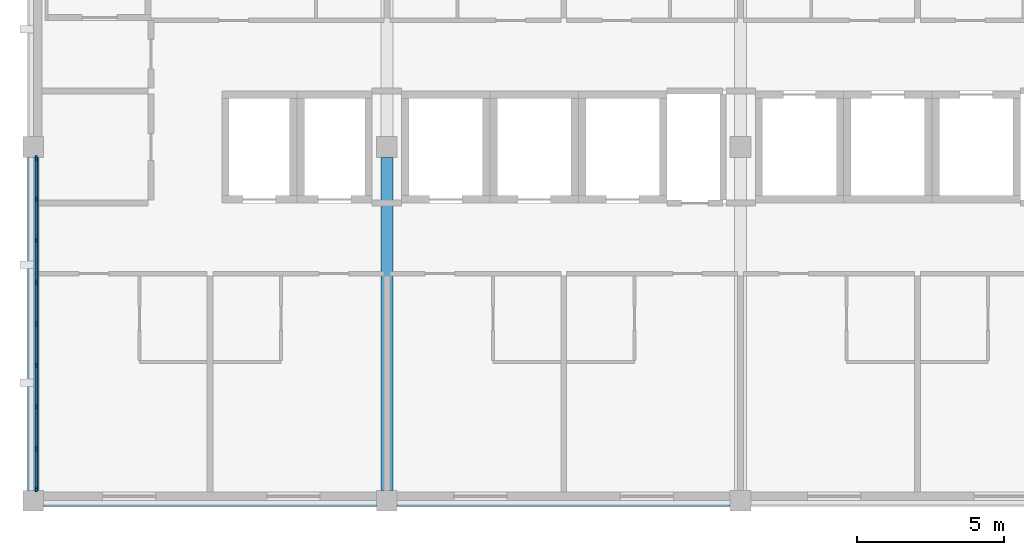
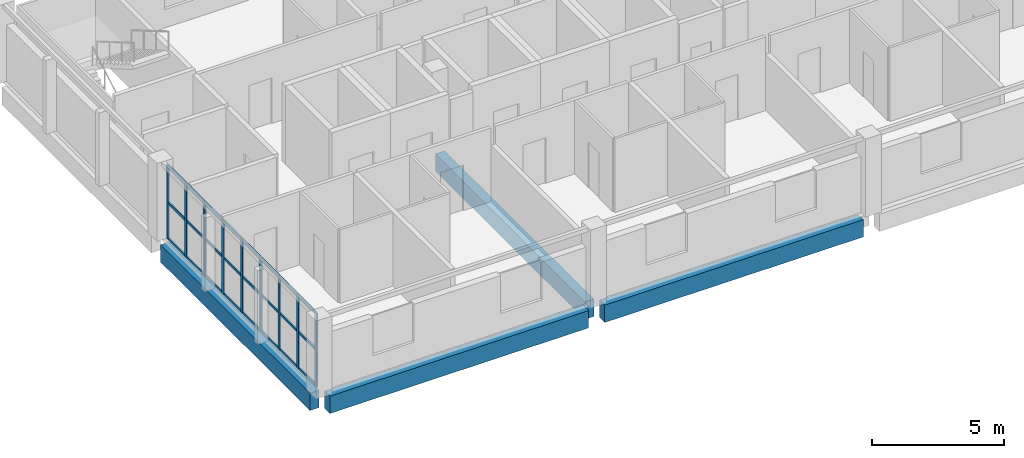
# One storey, part 2 of 11: 33 members, 4 beams, 1 element without a shape of its own.
"""IFC4 building model written with IfcOpenShell, lengths in metres."""

from ifc_helpers import new_model, si_unit, direction, frame, origin, origin_2d, place, context, subcontext, project, spatial, rectangle, extrude, material, layer, layer_set, material_profile, profile_set, type_object, element, aggregate, save


model = new_model("IFC4")

# Units and contexts
model_context = context("Model", 3, precision=1e-05, world=origin(), true_north=direction((0.0, 1.0)))
body_context = subcontext(model_context, "Body", "Model", "MODEL_VIEW")
ifc_project = project(units=[si_unit("LENGTHUNIT", "METRE"), si_unit("AREAUNIT", "SQUARE_METRE"), si_unit("VOLUMEUNIT", "CUBIC_METRE"), si_unit("PLANEANGLEUNIT", "RADIAN"), si_unit("MASSUNIT", "GRAM", prefix="KILO")], contexts=[model_context])

# Site, building, storey
site_placement = place(None, origin())
site = spatial("IfcSite", under=ifc_project, at=site_placement, CompositionType="ELEMENT")
building_placement = place(site_placement, origin())
building = spatial("IfcBuilding", under=site, at=building_placement, Name="Lilac Gate Convention Centre", CompositionType="ELEMENT")
storey_placement = place(building_placement, frame((0.0, 0.0, 64.199951171875)))
storey = spatial("IfcBuildingStorey", under=building, at=storey_placement, Name="L16", CompositionType="ELEMENT", Elevation=64.199951171875)

# Curtain wall, members
ifc_material_1 = material(Name="Aluminium framed double glazing", Category="aluminium")
ifc_layer = layer(ifc_material_1, 0.199951171875)
ifc_layer_set = layer_set([ifc_layer], Name="Aluminium framed double glazing")
curtain_wall_type = type_object("IfcCurtainWallType", Name="Unitised curtain wall 1500", PredefinedType="NOTDEFINED", material=ifc_layer_set)
curtain_wall_placement = place(storey_placement, origin())
curtain_wall = element("IfcCurtainWall", 1, at=curtain_wall_placement, inside=storey, type_object=curtain_wall_type, Name="Curtain wall W L16 2", PredefinedType="NOTDEFINED")
ifc_material_2 = material(Name="Aluminium alloy 6063", Category="aluminium")
ifc_material_profile_1 = material_profile(ifc_material_2, rectangle(XDim=0.06005859375, YDim=0.159912109375, at=origin_2d()), Name="Curtain wall mullion 60 x 160")
ifc_profile_set_1 = profile_set([ifc_material_profile_1], Name="Aluminium alloy 6063")
member_type_1 = type_object("IfcMemberType", Name="Curtain wall mullion 60 x 160", PredefinedType="MULLION", material=ifc_profile_set_1)
member_1_placement = place(storey_placement, frame((42.10009765625, 233.619873046875, 0.0), z_axis=(0.0, 0.0, 1.0), x_axis=(1.0, 0.0, 0.0)))
member_1 = element("IfcMember", 2, at=member_1_placement, type_object=member_type_1, Name="CW mullion 1", PredefinedType="MULLION", context=body_context, shape_type="SweptSolid", body=[
    extrude(rectangle(XDim=0.06005859375, YDim=0.159912109375, at=origin_2d()), origin(), (0.0, 0.0, 1.0), 3.400146484375),
])
member_2_placement = place(storey_placement, frame((42.10009765625, 232.237548828125, 0.0), z_axis=(0.0, 0.0, 1.0), x_axis=(1.0, 0.0, 0.0)))
member_2 = element("IfcMember", 3, at=member_2_placement, type_object=member_type_1, Name="CW mullion 2", PredefinedType="MULLION", context=body_context, shape_type="SweptSolid", body=[
    extrude(rectangle(XDim=0.06005859375, YDim=0.159912109375, at=origin_2d()), origin(), (0.0, 0.0, 1.0), 3.400146484375),
])
member_3_placement = place(storey_placement, frame((42.10009765625, 230.824951171875, 0.0), z_axis=(0.0, 0.0, 1.0), x_axis=(1.0, 0.0, 0.0)))
member_3 = element("IfcMember", 4, at=member_3_placement, type_object=member_type_1, Name="CW mullion 3", PredefinedType="MULLION", context=body_context, shape_type="SweptSolid", body=[
    extrude(rectangle(XDim=0.06005859375, YDim=0.159912109375, at=origin_2d()), origin(), (0.0, 0.0, 1.0), 3.400146484375),
])
member_4_placement = place(storey_placement, frame((42.10009765625, 229.41259765625, 0.0), z_axis=(0.0, 0.0, 1.0), x_axis=(1.0, 0.0, 0.0)))
member_4 = element("IfcMember", 5, at=member_4_placement, type_object=member_type_1, Name="CW mullion 4", PredefinedType="MULLION", context=body_context, shape_type="SweptSolid", body=[
    extrude(rectangle(XDim=0.06005859375, YDim=0.159912109375, at=origin_2d()), origin(), (0.0, 0.0, 1.0), 3.400146484375),
])
member_5_placement = place(storey_placement, frame((42.10009765625, 228.0, 0.0), z_axis=(0.0, 0.0, 1.0), x_axis=(1.0, 0.0, 0.0)))
member_5 = element("IfcMember", 6, at=member_5_placement, type_object=member_type_1, Name="CW mullion 5", PredefinedType="MULLION", context=body_context, shape_type="SweptSolid", body=[
    extrude(rectangle(XDim=0.06005859375, YDim=0.159912109375, at=origin_2d()), origin(), (0.0, 0.0, 1.0), 3.400146484375),
])
member_6_placement = place(storey_placement, frame((42.10009765625, 226.58740234375, 0.0), z_axis=(0.0, 0.0, 1.0), x_axis=(1.0, 0.0, 0.0)))
member_6 = element("IfcMember", 7, at=member_6_placement, type_object=member_type_1, Name="CW mullion 6", PredefinedType="MULLION", context=body_context, shape_type="SweptSolid", body=[
    extrude(rectangle(XDim=0.06005859375, YDim=0.159912109375, at=origin_2d()), origin(), (0.0, 0.0, 1.0), 3.400146484375),
])
member_7_placement = place(storey_placement, frame((42.10009765625, 225.175048828125, 0.0), z_axis=(0.0, 0.0, 1.0), x_axis=(1.0, 0.0, 0.0)))
member_7 = element("IfcMember", 8, at=member_7_placement, type_object=member_type_1, Name="CW mullion 7", PredefinedType="MULLION", context=body_context, shape_type="SweptSolid", body=[
    extrude(rectangle(XDim=0.06005859375, YDim=0.159912109375, at=origin_2d()), origin(), (0.0, 0.0, 1.0), 3.400146484375),
])
member_8_placement = place(storey_placement, frame((42.10009765625, 223.762451171875, 0.0), z_axis=(0.0, 0.0, 1.0), x_axis=(1.0, 0.0, 0.0)))
member_8 = element("IfcMember", 9, at=member_8_placement, type_object=member_type_1, Name="CW mullion 8", PredefinedType="MULLION", context=body_context, shape_type="SweptSolid", body=[
    extrude(rectangle(XDim=0.06005859375, YDim=0.159912109375, at=origin_2d()), origin(), (0.0, 0.0, 1.0), 3.400146484375),
])
member_9_placement = place(storey_placement, frame((42.10009765625, 222.380126953125, 0.0), z_axis=(0.0, 0.0, 1.0), x_axis=(1.0, 0.0, 0.0)))
member_9 = element("IfcMember", 10, at=member_9_placement, type_object=member_type_1, Name="CW mullion 9", PredefinedType="MULLION", context=body_context, shape_type="SweptSolid", body=[
    extrude(rectangle(XDim=0.06005859375, YDim=0.159912109375, at=origin_2d()), origin(), (0.0, 0.0, 1.0), 3.400146484375),
])
ifc_material_profile_2 = material_profile(ifc_material_2, rectangle(XDim=0.06005859375, YDim=0.1201171875, at=origin_2d()), Name="Curtain wall transom 60 x 120")
ifc_profile_set_2 = profile_set([ifc_material_profile_2], Name="Aluminium alloy 6063")
member_type_2 = type_object("IfcMemberType", Name="Curtain wall transom 60 x 120", PredefinedType="USERDEFINED", material=ifc_profile_set_2)
member_10_placement = place(storey_placement, frame((42.10009765625, 233.58984375, 0.030029296875), z_axis=(0.0, -1.0, 0.0), x_axis=(1.0, 0.0, 0.0)))
member_10 = element("IfcMember", 11, at=member_10_placement, type_object=member_type_2, Name="CW transom 1.1", ObjectType="TRANSOM", PredefinedType="USERDEFINED", context=body_context, shape_type="SweptSolid", body=[
    extrude(rectangle(XDim=0.06005859375, YDim=0.1201171875, at=origin_2d()), origin(), (0.0, 0.0, 1.0), 1.322509765625),
])
member_11_placement = place(storey_placement, frame((42.10009765625, 233.58984375, 1.699951171875), z_axis=(0.0, -1.0, 0.0), x_axis=(1.0, 0.0, 0.0)))
member_11 = element("IfcMember", 12, at=member_11_placement, type_object=member_type_2, Name="CW transom 1.2", ObjectType="TRANSOM", PredefinedType="USERDEFINED", context=body_context, shape_type="SweptSolid", body=[
    extrude(rectangle(XDim=0.06005859375, YDim=0.1201171875, at=origin_2d()), origin(), (0.0, 0.0, 1.0), 1.322509765625),
])
member_12_placement = place(storey_placement, frame((42.10009765625, 233.58984375, 3.3701171875), z_axis=(0.0, -1.0, 0.0), x_axis=(1.0, 0.0, 0.0)))
member_12 = element("IfcMember", 13, at=member_12_placement, type_object=member_type_2, Name="CW transom 1.3", ObjectType="TRANSOM", PredefinedType="USERDEFINED", context=body_context, shape_type="SweptSolid", body=[
    extrude(rectangle(XDim=0.06005859375, YDim=0.1201171875, at=origin_2d()), origin(), (0.0, 0.0, 1.0), 1.322509765625),
])
member_13_placement = place(storey_placement, frame((42.10009765625, 232.20751953125, 0.030029296875), z_axis=(0.0, -1.0, 0.0), x_axis=(1.0, 0.0, 0.0)))
member_13 = element("IfcMember", 14, at=member_13_placement, type_object=member_type_2, Name="CW transom 2.1", ObjectType="TRANSOM", PredefinedType="USERDEFINED", context=body_context, shape_type="SweptSolid", body=[
    extrude(rectangle(XDim=0.06005859375, YDim=0.1201171875, at=origin_2d()), origin(), (0.0, 0.0, 1.0), 1.3525390625),
])
member_14_placement = place(storey_placement, frame((42.10009765625, 232.20751953125, 1.699951171875), z_axis=(0.0, -1.0, 0.0), x_axis=(1.0, 0.0, 0.0)))
member_14 = element("IfcMember", 15, at=member_14_placement, type_object=member_type_2, Name="CW transom 2.2", ObjectType="TRANSOM", PredefinedType="USERDEFINED", context=body_context, shape_type="SweptSolid", body=[
    extrude(rectangle(XDim=0.06005859375, YDim=0.1201171875, at=origin_2d()), origin(), (0.0, 0.0, 1.0), 1.3525390625),
])
member_15_placement = place(storey_placement, frame((42.10009765625, 232.20751953125, 3.3701171875), z_axis=(0.0, -1.0, 0.0), x_axis=(1.0, 0.0, 0.0)))
member_15 = element("IfcMember", 16, at=member_15_placement, type_object=member_type_2, Name="CW transom 2.3", ObjectType="TRANSOM", PredefinedType="USERDEFINED", context=body_context, shape_type="SweptSolid", body=[
    extrude(rectangle(XDim=0.06005859375, YDim=0.1201171875, at=origin_2d()), origin(), (0.0, 0.0, 1.0), 1.3525390625),
])
member_16_placement = place(storey_placement, frame((42.10009765625, 230.794921875, 0.030029296875), z_axis=(0.0, -1.0, 0.0), x_axis=(1.0, 0.0, 0.0)))
member_16 = element("IfcMember", 17, at=member_16_placement, type_object=member_type_2, Name="CW transom 3.1", ObjectType="TRANSOM", PredefinedType="USERDEFINED", context=body_context, shape_type="SweptSolid", body=[
    extrude(rectangle(XDim=0.06005859375, YDim=0.1201171875, at=origin_2d()), origin(), (0.0, 0.0, 1.0), 1.3525390625),
])
member_17_placement = place(storey_placement, frame((42.10009765625, 230.794921875, 1.699951171875), z_axis=(0.0, -1.0, 0.0), x_axis=(1.0, 0.0, 0.0)))
member_17 = element("IfcMember", 18, at=member_17_placement, type_object=member_type_2, Name="CW transom 3.2", ObjectType="TRANSOM", PredefinedType="USERDEFINED", context=body_context, shape_type="SweptSolid", body=[
    extrude(rectangle(XDim=0.06005859375, YDim=0.1201171875, at=origin_2d()), origin(), (0.0, 0.0, 1.0), 1.3525390625),
])
member_18_placement = place(storey_placement, frame((42.10009765625, 230.794921875, 3.3701171875), z_axis=(0.0, -1.0, 0.0), x_axis=(1.0, 0.0, 0.0)))
member_18 = element("IfcMember", 19, at=member_18_placement, type_object=member_type_2, Name="CW transom 3.3", ObjectType="TRANSOM", PredefinedType="USERDEFINED", context=body_context, shape_type="SweptSolid", body=[
    extrude(rectangle(XDim=0.06005859375, YDim=0.1201171875, at=origin_2d()), origin(), (0.0, 0.0, 1.0), 1.3525390625),
])
member_19_placement = place(storey_placement, frame((42.10009765625, 229.382568359375, 0.030029296875), z_axis=(0.0, -1.0, 0.0), x_axis=(1.0, 0.0, 0.0)))
member_19 = element("IfcMember", 20, at=member_19_placement, type_object=member_type_2, Name="CW transom 4.1", ObjectType="TRANSOM", PredefinedType="USERDEFINED", context=body_context, shape_type="SweptSolid", body=[
    extrude(rectangle(XDim=0.06005859375, YDim=0.1201171875, at=origin_2d()), origin(), (0.0, 0.0, 1.0), 1.3525390625),
])
member_20_placement = place(storey_placement, frame((42.10009765625, 229.382568359375, 1.699951171875), z_axis=(0.0, -1.0, 0.0), x_axis=(1.0, 0.0, 0.0)))
member_20 = element("IfcMember", 21, at=member_20_placement, type_object=member_type_2, Name="CW transom 4.2", ObjectType="TRANSOM", PredefinedType="USERDEFINED", context=body_context, shape_type="SweptSolid", body=[
    extrude(rectangle(XDim=0.06005859375, YDim=0.1201171875, at=origin_2d()), origin(), (0.0, 0.0, 1.0), 1.3525390625),
])
member_21_placement = place(storey_placement, frame((42.10009765625, 229.382568359375, 3.3701171875), z_axis=(0.0, -1.0, 0.0), x_axis=(1.0, 0.0, 0.0)))
member_21 = element("IfcMember", 22, at=member_21_placement, type_object=member_type_2, Name="CW transom 4.3", ObjectType="TRANSOM", PredefinedType="USERDEFINED", context=body_context, shape_type="SweptSolid", body=[
    extrude(rectangle(XDim=0.06005859375, YDim=0.1201171875, at=origin_2d()), origin(), (0.0, 0.0, 1.0), 1.3525390625),
])
member_22_placement = place(storey_placement, frame((42.10009765625, 227.969970703125, 0.030029296875), z_axis=(0.0, -1.0, 0.0), x_axis=(1.0, 0.0, 0.0)))
member_22 = element("IfcMember", 23, at=member_22_placement, type_object=member_type_2, Name="CW transom 5.1", ObjectType="TRANSOM", PredefinedType="USERDEFINED", context=body_context, shape_type="SweptSolid", body=[
    extrude(rectangle(XDim=0.06005859375, YDim=0.1201171875, at=origin_2d()), origin(), (0.0, 0.0, 1.0), 1.3525390625),
])
member_23_placement = place(storey_placement, frame((42.10009765625, 227.969970703125, 1.699951171875), z_axis=(0.0, -1.0, 0.0), x_axis=(1.0, 0.0, 0.0)))
member_23 = element("IfcMember", 24, at=member_23_placement, type_object=member_type_2, Name="CW transom 5.2", ObjectType="TRANSOM", PredefinedType="USERDEFINED", context=body_context, shape_type="SweptSolid", body=[
    extrude(rectangle(XDim=0.06005859375, YDim=0.1201171875, at=origin_2d()), origin(), (0.0, 0.0, 1.0), 1.3525390625),
])
member_24_placement = place(storey_placement, frame((42.10009765625, 227.969970703125, 3.3701171875), z_axis=(0.0, -1.0, 0.0), x_axis=(1.0, 0.0, 0.0)))
member_24 = element("IfcMember", 25, at=member_24_placement, type_object=member_type_2, Name="CW transom 5.3", ObjectType="TRANSOM", PredefinedType="USERDEFINED", context=body_context, shape_type="SweptSolid", body=[
    extrude(rectangle(XDim=0.06005859375, YDim=0.1201171875, at=origin_2d()), origin(), (0.0, 0.0, 1.0), 1.3525390625),
])
member_25_placement = place(storey_placement, frame((42.10009765625, 226.5576171875, 0.030029296875), z_axis=(0.0, -1.0, 0.0), x_axis=(1.0, 0.0, 0.0)))
member_25 = element("IfcMember", 26, at=member_25_placement, type_object=member_type_2, Name="CW transom 6.1", ObjectType="TRANSOM", PredefinedType="USERDEFINED", context=body_context, shape_type="SweptSolid", body=[
    extrude(rectangle(XDim=0.06005859375, YDim=0.1201171875, at=origin_2d()), origin(), (0.0, 0.0, 1.0), 1.3525390625),
])
member_26_placement = place(storey_placement, frame((42.10009765625, 226.5576171875, 1.699951171875), z_axis=(0.0, -1.0, 0.0), x_axis=(1.0, 0.0, 0.0)))
member_26 = element("IfcMember", 27, at=member_26_placement, type_object=member_type_2, Name="CW transom 6.2", ObjectType="TRANSOM", PredefinedType="USERDEFINED", context=body_context, shape_type="SweptSolid", body=[
    extrude(rectangle(XDim=0.06005859375, YDim=0.1201171875, at=origin_2d()), origin(), (0.0, 0.0, 1.0), 1.3525390625),
])
member_27_placement = place(storey_placement, frame((42.10009765625, 226.5576171875, 3.3701171875), z_axis=(0.0, -1.0, 0.0), x_axis=(1.0, 0.0, 0.0)))
member_27 = element("IfcMember", 28, at=member_27_placement, type_object=member_type_2, Name="CW transom 6.3", ObjectType="TRANSOM", PredefinedType="USERDEFINED", context=body_context, shape_type="SweptSolid", body=[
    extrude(rectangle(XDim=0.06005859375, YDim=0.1201171875, at=origin_2d()), origin(), (0.0, 0.0, 1.0), 1.3525390625),
])
member_28_placement = place(storey_placement, frame((42.10009765625, 225.14501953125, 0.030029296875), z_axis=(0.0, -1.0, 0.0), x_axis=(1.0, 0.0, 0.0)))
member_28 = element("IfcMember", 29, at=member_28_placement, type_object=member_type_2, Name="CW transom 7.1", ObjectType="TRANSOM", PredefinedType="USERDEFINED", context=body_context, shape_type="SweptSolid", body=[
    extrude(rectangle(XDim=0.06005859375, YDim=0.1201171875, at=origin_2d()), origin(), (0.0, 0.0, 1.0), 1.3525390625),
])
member_29_placement = place(storey_placement, frame((42.10009765625, 225.14501953125, 1.699951171875), z_axis=(0.0, -1.0, 0.0), x_axis=(1.0, 0.0, 0.0)))
member_29 = element("IfcMember", 30, at=member_29_placement, type_object=member_type_2, Name="CW transom 7.2", ObjectType="TRANSOM", PredefinedType="USERDEFINED", context=body_context, shape_type="SweptSolid", body=[
    extrude(rectangle(XDim=0.06005859375, YDim=0.1201171875, at=origin_2d()), origin(), (0.0, 0.0, 1.0), 1.3525390625),
])
member_30_placement = place(storey_placement, frame((42.10009765625, 225.14501953125, 3.3701171875), z_axis=(0.0, -1.0, 0.0), x_axis=(1.0, 0.0, 0.0)))
member_30 = element("IfcMember", 31, at=member_30_placement, type_object=member_type_2, Name="CW transom 7.3", ObjectType="TRANSOM", PredefinedType="USERDEFINED", context=body_context, shape_type="SweptSolid", body=[
    extrude(rectangle(XDim=0.06005859375, YDim=0.1201171875, at=origin_2d()), origin(), (0.0, 0.0, 1.0), 1.3525390625),
])
member_31_placement = place(storey_placement, frame((42.10009765625, 223.732666015625, 0.030029296875), z_axis=(0.0, -1.0, 0.0), x_axis=(1.0, 0.0, 0.0)))
member_31 = element("IfcMember", 32, at=member_31_placement, type_object=member_type_2, Name="CW transom 8.1", ObjectType="TRANSOM", PredefinedType="USERDEFINED", context=body_context, shape_type="SweptSolid", body=[
    extrude(rectangle(XDim=0.06005859375, YDim=0.1201171875, at=origin_2d()), origin(), (0.0, 0.0, 1.0), 1.322509765625),
])
member_32_placement = place(storey_placement, frame((42.10009765625, 223.732666015625, 1.699951171875), z_axis=(0.0, -1.0, 0.0), x_axis=(1.0, 0.0, 0.0)))
member_32 = element("IfcMember", 33, at=member_32_placement, type_object=member_type_2, Name="CW transom 8.2", ObjectType="TRANSOM", PredefinedType="USERDEFINED", context=body_context, shape_type="SweptSolid", body=[
    extrude(rectangle(XDim=0.06005859375, YDim=0.1201171875, at=origin_2d()), origin(), (0.0, 0.0, 1.0), 1.322509765625),
])
member_33_placement = place(storey_placement, frame((42.10009765625, 223.732666015625, 3.3701171875), z_axis=(0.0, -1.0, 0.0), x_axis=(1.0, 0.0, 0.0)))
member_33 = element("IfcMember", 34, at=member_33_placement, type_object=member_type_2, Name="CW transom 8.3", ObjectType="TRANSOM", PredefinedType="USERDEFINED", context=body_context, shape_type="SweptSolid", body=[
    extrude(rectangle(XDim=0.06005859375, YDim=0.1201171875, at=origin_2d()), origin(), (0.0, 0.0, 1.0), 1.322509765625),
])
aggregate(curtain_wall, [member_1, member_2, member_3, member_4, member_5, member_6, member_7, member_8, member_9, member_10, member_11, member_12, member_13, member_14, member_15, member_16, member_17, member_18, member_19, member_20, member_21, member_22, member_23, member_24, member_25, member_26, member_27, member_28, member_29, member_30, member_31, member_32, member_33])

# Beams
ifc_material_3 = material(Name="Concrete C40", Category="concrete")
ifc_material_profile_3 = material_profile(ifc_material_3, rectangle(XDim=0.39990234375, YDim=0.800048828125, at=origin_2d()), Name="RC 400x800")
ifc_profile_set_3 = profile_set([ifc_material_profile_3], Name="Concrete C40")
beam_type = type_object("IfcBeamType", Name="Tower primary beam 400x800 C40", PredefinedType="BEAM", material=ifc_profile_set_3)
for number, where, z_axis, x_axis, name in (
    (35, (42.35009765625, 222.0, -0.599853515625), (1.0, 0.0, 0.0), (0.0, 1.0, 0.0), "RB3 L16 4/S-5/S"),
    (36, (54.35009765625, 222.0, -0.599853515625), (1.0, 0.0, 0.0), (0.0, 1.0, 0.0), "RB3 L16 5/S-6/S"),
    (37, (42.0, 222.35009765625, -0.599853515625), (0.0, 1.0, 0.0), (-1.0, 0.0, 0.0), "RB3 L16 4/S-4/T"),
    (38, (54.0, 222.35009765625, -0.599853515625), (0.0, 1.0, 0.0), (-1.0, 0.0, 0.0), "RB3 L16 5/S-5/T"),
):
    element("IfcBeam", number, at=place(storey_placement, frame(where, z_axis=z_axis, x_axis=x_axis)), inside=storey, type_object=beam_type, Name=name, PredefinedType="BEAM", context=body_context, shape_type="SweptSolid", body=[
        extrude(rectangle(XDim=0.39990234375, YDim=0.800048828125, at=origin_2d()), origin(), (0.0, 0.0, 1.0), 11.2998046875),
    ])

save(model, "model.ifc")
